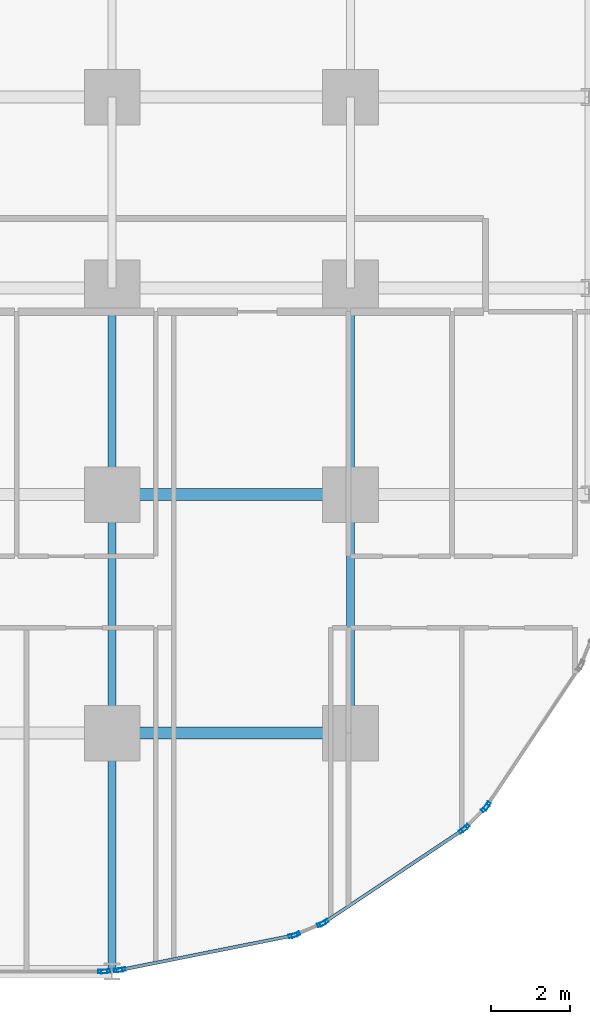
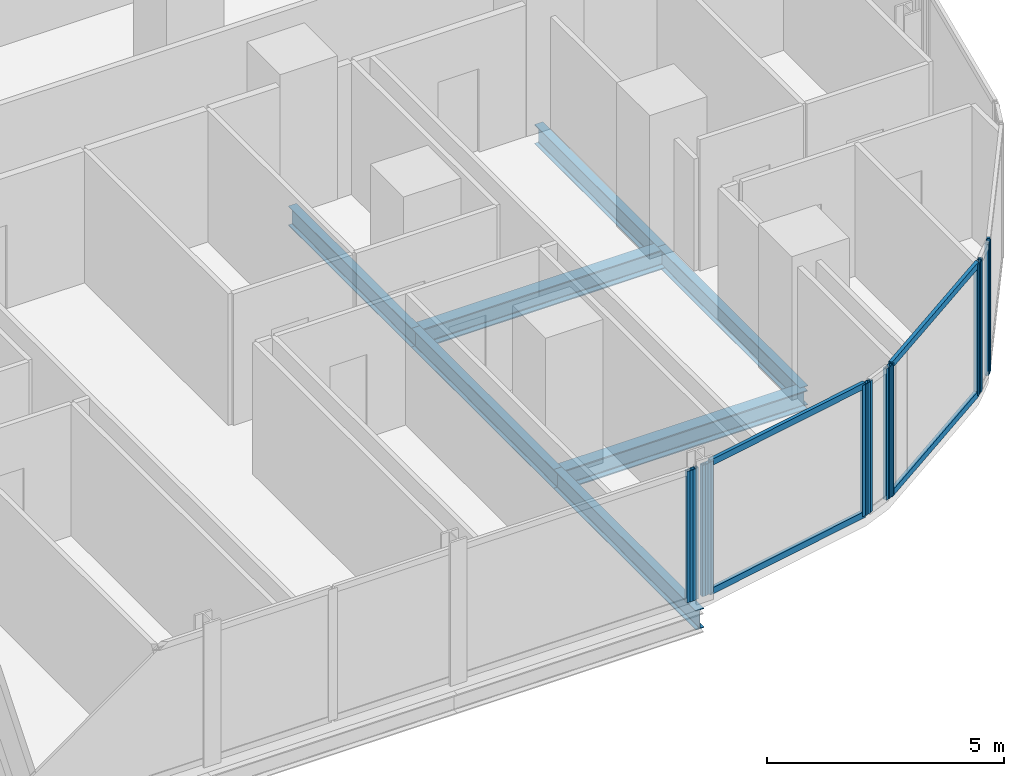
# One storey, part 9 of 33: 16 members, 7 beams, 7 elements without a shape of their own.
"""IFC4 building model written with IfcOpenShell, lengths in metres."""

from ifc_helpers import new_model, si_unit, direction, frame, origin, origin_2d, place, context, subcontext, project, spatial, hollow_rectangle, i_section, extrude, material, layer, layer_set, material_profile, profile_set, type_object, element, aggregate, save


model = new_model("IFC4")

# Units and contexts
model_context = context("Model", 3, precision=1e-05, world=origin(), true_north=direction((0.0, 1.0)))
body_context = subcontext(model_context, "Body", "Model", "MODEL_VIEW")
ifc_project = project(units=[si_unit("LENGTHUNIT", "METRE"), si_unit("AREAUNIT", "SQUARE_METRE"), si_unit("VOLUMEUNIT", "CUBIC_METRE"), si_unit("PLANEANGLEUNIT", "RADIAN"), si_unit("MASSUNIT", "GRAM", prefix="KILO")], contexts=[model_context])

# Site, building, storey
site_placement = place(None, origin())
site = spatial("IfcSite", under=ifc_project, at=site_placement, CompositionType="ELEMENT")
building_placement = place(site_placement, origin())
building = spatial("IfcBuilding", under=site, at=building_placement, Name="Keshet Zoharim Tower", CompositionType="ELEMENT")
storey_placement = place(building_placement, frame((0.0, 0.0, 42.5)))
storey = spatial("IfcBuildingStorey", under=building, at=storey_placement, Name="L09", CompositionType="ELEMENT", Elevation=42.5)

# Beams
ifc_material_1 = material(Name="Steel S355", Category="steel")
ifc_material_profile_1 = material_profile(ifc_material_1, i_section(OverallWidth=0.199951171875, OverallDepth=0.5, WebThickness=0.01025390625, FlangeThickness=0.01611328125, FilletRadius=0.02099609375, at=origin_2d()), Name="IPE500")
ifc_profile_set_1 = profile_set([ifc_material_profile_1], Name="Steel S355")
beam_type_1 = type_object("IfcBeamType", Name="BM-PRI-IP500", PredefinedType="BEAM", material=ifc_profile_set_1)
for number, where, z_axis, x_axis, name in (
    (1, (57.0, 0.699951171875, -0.56494140625), (0.0, 1.0, 0.0), (-1.0, 0.0, 0.0), "L09 Primary Girder Y-013"),
    (2, (57.0, 6.699951171875, -0.56494140625), (0.0, 1.0, 0.0), (-1.0, 0.0, 0.0), "L09 Primary Girder Y-014"),
):
    element("IfcBeam", number, at=place(storey_placement, frame(where, z_axis=z_axis, x_axis=x_axis)), inside=storey, type_object=beam_type_1, Name=name, PredefinedType="BEAM", context=body_context, shape_type="SweptSolid", body=[
        extrude(i_section(OverallWidth=0.199951171875, OverallDepth=0.5, WebThickness=0.01025390625, FlangeThickness=0.01611328125, FilletRadius=0.02099609375, at=origin_2d()), origin(), (0.0, 0.0, 1.0), 6.0),
    ])
beam_1_placement = place(storey_placement, frame((57.0, 12.699951171875, -0.56494140625), z_axis=(0.0, 1.0, 0.0), x_axis=(-1.0, 0.0, 0.0)))
element("IfcBeam", 3, at=beam_1_placement, inside=storey, type_object=beam_type_1, Name="L09 Primary Girder Y-015", PredefinedType="BEAM", context=body_context, shape_type="SweptSolid", body=[
    extrude(i_section(OverallWidth=0.199951171875, OverallDepth=0.5, WebThickness=0.01025390625, FlangeThickness=0.01611328125, FilletRadius=0.02099609375, at=origin_2d()), origin(), (0.0, 0.0, 1.0), 5.199951171875),
])
beam_2_placement = place(storey_placement, frame((63.0, 6.699951171875, -0.56494140625), z_axis=(0.0, 1.0, 0.0), x_axis=(-1.0, 0.0, 0.0)))
element("IfcBeam", 4, at=beam_2_placement, inside=storey, type_object=beam_type_1, Name="L09 Primary Girder Y-018", PredefinedType="BEAM", context=body_context, shape_type="SweptSolid", body=[
    extrude(i_section(OverallWidth=0.199951171875, OverallDepth=0.5, WebThickness=0.01025390625, FlangeThickness=0.01611328125, FilletRadius=0.02099609375, at=origin_2d()), origin(), (0.0, 0.0, 1.0), 6.0),
])
beam_3_placement = place(storey_placement, frame((63.0, 12.699951171875, -0.56494140625), z_axis=(0.0, 1.0, 0.0), x_axis=(-1.0, 0.0, 0.0)))
element("IfcBeam", 5, at=beam_3_placement, inside=storey, type_object=beam_type_1, Name="L09 Primary Girder Y-019", PredefinedType="BEAM", context=body_context, shape_type="SweptSolid", body=[
    extrude(i_section(OverallWidth=0.199951171875, OverallDepth=0.5, WebThickness=0.01025390625, FlangeThickness=0.01611328125, FilletRadius=0.02099609375, at=origin_2d()), origin(), (0.0, 0.0, 1.0), 5.199951171875),
])
ifc_material_profile_2 = material_profile(ifc_material_1, i_section(OverallWidth=0.300048828125, OverallDepth=0.5, WebThickness=0.014404296875, FlangeThickness=0.028076171875, FilletRadius=0.027099609375, at=origin_2d()), Name="HEB500")
ifc_profile_set_2 = profile_set([ifc_material_profile_2], Name="Steel S355")
beam_type_2 = type_object("IfcBeamType", Name="BM-WEB-HB500", PredefinedType="BEAM", material=ifc_profile_set_2)
for number, where, z_axis, x_axis, name in (
    (6, (57.0, 6.699951171875, -0.56494140625), (1.0, 0.0, 0.0), (0.0, 1.0, 0.0), "L09 Primary Girder X-010"),
    (7, (57.0, 12.699951171875, -0.56494140625), (1.0, 0.0, 0.0), (0.0, 1.0, 0.0), "L09 Primary Girder X-013"),
):
    element("IfcBeam", number, at=place(storey_placement, frame(where, z_axis=z_axis, x_axis=x_axis)), inside=storey, type_object=beam_type_2, Name=name, PredefinedType="BEAM", context=body_context, shape_type="SweptSolid", body=[
        extrude(i_section(OverallWidth=0.300048828125, OverallDepth=0.5, WebThickness=0.014404296875, FlangeThickness=0.028076171875, FilletRadius=0.027099609375, at=origin_2d()), origin(), (0.0, 0.0, 1.0), 6.0),
    ])

# Curtain wall, member
ifc_material_2 = material(Name="Aluminium 6063-T6", Category="aluminium")
ifc_layer = layer(ifc_material_2, 0.179931640625)
ifc_layer_set = layer_set([ifc_layer], Name="Aluminium 6063-T6")
curtain_wall_type = type_object("IfcCurtainWallType", Name="CW-SYS-01", PredefinedType="NOTDEFINED", material=ifc_layer_set)
curtain_wall_1_placement = place(storey_placement, origin())
curtain_wall_1 = element("IfcCurtainWall", 8, at=curtain_wall_1_placement, inside=storey, type_object=curtain_wall_type, Name="L09 Unitised Curtain Wall 20", PredefinedType="NOTDEFINED")
ifc_material_profile_3 = material_profile(ifc_material_2, hollow_rectangle(XDim=0.090087890625, YDim=0.219970703125, WallThickness=0.0048828125, at=origin_2d()), Name="MUL-90x220")
ifc_profile_set_3 = profile_set([ifc_material_profile_3], Name="Aluminium 6063-T6")
member_type_1 = type_object("IfcMemberType", Name="CWM-M22", PredefinedType="MULLION", material=ifc_profile_set_3)
member_1_placement = place(storey_placement, frame((66.432373046875, 4.8671875, 0.0), z_axis=(0.0, 0.0, 1.0), x_axis=(0.831474282335, -0.555563243758, 0.0)))
member_1 = element("IfcMember", 9, at=member_1_placement, type_object=member_type_1, Name="CW-01 mullion 2", PredefinedType="MULLION", context=body_context, shape_type="SweptSolid", body=[
    extrude(hollow_rectangle(XDim=0.090087890625, YDim=0.219970703125, WallThickness=0.0048828125, at=origin_2d()), origin(), (0.0, 0.0, 1.0), 3.385009765625),
])
aggregate(curtain_wall_1, [member_1])

# Curtain wall, members
curtain_wall_2_placement = place(storey_placement, origin())
curtain_wall_2 = element("IfcCurtainWall", 10, at=curtain_wall_2_placement, inside=storey, type_object=curtain_wall_type, Name="L09 Unitised Curtain Wall 21", PredefinedType="NOTDEFINED")
member_2_placement = place(storey_placement, frame((66.38818359375, 4.813232421875, 0.0), z_axis=(0.0, 0.0, 1.0), x_axis=(0.707106781187, -0.707106781187, 0.0)))
member_2 = element("IfcMember", 11, at=member_2_placement, type_object=member_type_1, Name="CW-01 mullion 1", PredefinedType="MULLION", context=body_context, shape_type="SweptSolid", body=[
    extrude(hollow_rectangle(XDim=0.090087890625, YDim=0.219970703125, WallThickness=0.0048828125, at=origin_2d()), origin(), (0.0, 0.0, 1.0), 3.385009765625),
])
member_3_placement = place(storey_placement, frame((65.88671875, 4.311767578125, 0.0), z_axis=(0.0, 0.0, 1.0), x_axis=(0.707106781187, -0.707106781187, 0.0)))
member_3 = element("IfcMember", 12, at=member_3_placement, type_object=member_type_1, Name="CW-01 mullion 2", PredefinedType="MULLION", context=body_context, shape_type="SweptSolid", body=[
    extrude(hollow_rectangle(XDim=0.090087890625, YDim=0.219970703125, WallThickness=0.0048828125, at=origin_2d()), origin(), (0.0, 0.0, 1.0), 3.385009765625),
])
aggregate(curtain_wall_2, [member_2, member_3])

curtain_wall_3_placement = place(storey_placement, origin())
curtain_wall_3 = element("IfcCurtainWall", 13, at=curtain_wall_3_placement, inside=storey, type_object=curtain_wall_type, Name="L09 Unitised Curtain Wall 22", PredefinedType="NOTDEFINED")
member_4_placement = place(storey_placement, frame((65.8330078125, 4.267578125, 0.0), z_axis=(0.0, 0.0, 1.0), x_axis=(0.555563243758, -0.831474282335, 0.0)))
member_4 = element("IfcMember", 14, at=member_4_placement, type_object=member_type_1, Name="CW-01 mullion 1", PredefinedType="MULLION", context=body_context, shape_type="SweptSolid", body=[
    extrude(hollow_rectangle(XDim=0.090087890625, YDim=0.219970703125, WallThickness=0.0048828125, at=origin_2d()), origin(), (0.0, 0.0, 1.0), 3.385009765625),
])
member_5_placement = place(storey_placement, frame((62.335205078125, 1.930419921875, 0.0), z_axis=(0.0, 0.0, 1.0), x_axis=(0.555563243758, -0.831474282335, 0.0)))
member_5 = element("IfcMember", 15, at=member_5_placement, type_object=member_type_1, Name="CW-01 mullion 2", PredefinedType="MULLION", context=body_context, shape_type="SweptSolid", body=[
    extrude(hollow_rectangle(XDim=0.090087890625, YDim=0.219970703125, WallThickness=0.0048828125, at=origin_2d()), origin(), (0.0, 0.0, 1.0), 3.385009765625),
])

curtain_wall_4_placement = place(storey_placement, origin())
curtain_wall_4 = element("IfcCurtainWall", 16, at=curtain_wall_4_placement, inside=storey, type_object=curtain_wall_type, Name="L09 Unitised Curtain Wall 23", PredefinedType="NOTDEFINED")
member_6_placement = place(storey_placement, frame((62.273681640625, 1.897705078125, 0.0), z_axis=(0.0, 0.0, 1.0), x_axis=(0.383068349739, -0.923720000557, 0.0)))
member_6 = element("IfcMember", 17, at=member_6_placement, type_object=member_type_1, Name="CW-01 mullion 1", PredefinedType="MULLION", context=body_context, shape_type="SweptSolid", body=[
    extrude(hollow_rectangle(XDim=0.090087890625, YDim=0.219970703125, WallThickness=0.0048828125, at=origin_2d()), origin(), (0.0, 0.0, 1.0), 3.385009765625),
])
member_7_placement = place(storey_placement, frame((61.617431640625, 1.62548828125, 0.0), z_axis=(0.0, 0.0, 1.0), x_axis=(0.383068349739, -0.923720000557, 0.0)))
member_7 = element("IfcMember", 18, at=member_7_placement, type_object=member_type_1, Name="CW-01 mullion 2", PredefinedType="MULLION", context=body_context, shape_type="SweptSolid", body=[
    extrude(hollow_rectangle(XDim=0.090087890625, YDim=0.219970703125, WallThickness=0.0048828125, at=origin_2d()), origin(), (0.0, 0.0, 1.0), 3.385009765625),
])
aggregate(curtain_wall_4, [member_6, member_7])

curtain_wall_5_placement = place(storey_placement, origin())
curtain_wall_5 = element("IfcCurtainWall", 19, at=curtain_wall_5_placement, inside=storey, type_object=curtain_wall_type, Name="L09 Unitised Curtain Wall 24", PredefinedType="NOTDEFINED")
member_8_placement = place(storey_placement, frame((61.55078125, 1.605224609375, 0.0), z_axis=(0.0, 0.0, 1.0), x_axis=(0.195171279072, -0.98076917357, 0.0)))
member_8 = element("IfcMember", 20, at=member_8_placement, type_object=member_type_1, Name="CW-01 mullion 1", PredefinedType="MULLION", context=body_context, shape_type="SweptSolid", body=[
    extrude(hollow_rectangle(XDim=0.090087890625, YDim=0.219970703125, WallThickness=0.0048828125, at=origin_2d()), origin(), (0.0, 0.0, 1.0), 3.385009765625),
])
member_9_placement = place(storey_placement, frame((57.227294921875, 0.744873046875, 0.0), z_axis=(0.0, 0.0, 1.0), x_axis=(0.195171279072, -0.98076917357, 0.0)))
member_9 = element("IfcMember", 21, at=member_9_placement, type_object=member_type_1, Name="CW-01 mullion 2", PredefinedType="MULLION", context=body_context, shape_type="SweptSolid", body=[
    extrude(hollow_rectangle(XDim=0.090087890625, YDim=0.219970703125, WallThickness=0.0048828125, at=origin_2d()), origin(), (0.0, 0.0, 1.0), 3.385009765625),
])

curtain_wall_6_placement = place(storey_placement, origin())
curtain_wall_6 = element("IfcCurtainWall", 22, at=curtain_wall_6_placement, inside=storey, type_object=curtain_wall_type, Name="L09 Unitised Curtain Wall 25", PredefinedType="NOTDEFINED")
member_10_placement = place(storey_placement, frame((57.158203125, 0.734619140625, 0.0), z_axis=(0.0, 0.0, 1.0), x_axis=(0.096976648633, -0.995286657009, 0.0)))
member_10 = element("IfcMember", 23, at=member_10_placement, type_object=member_type_1, Name="CW-01 mullion 1", PredefinedType="MULLION", context=body_context, shape_type="SweptSolid", body=[
    extrude(hollow_rectangle(XDim=0.090087890625, YDim=0.219970703125, WallThickness=0.0048828125, at=origin_2d()), origin(), (0.0, 0.0, 1.0), 3.385009765625),
])
member_11_placement = place(storey_placement, frame((56.837890625, 0.703369140625, 0.0), z_axis=(0.0, 0.0, 1.0), x_axis=(0.096976648633, -0.995286657009, 0.0)))
member_11 = element("IfcMember", 24, at=member_11_placement, type_object=member_type_1, Name="CW-01 mullion 2", PredefinedType="MULLION", context=body_context, shape_type="SweptSolid", body=[
    extrude(hollow_rectangle(XDim=0.090087890625, YDim=0.219970703125, WallThickness=0.0048828125, at=origin_2d()), origin(), (0.0, 0.0, 1.0), 3.385009765625),
])
aggregate(curtain_wall_6, [member_10, member_11])

# Curtain wall, member
curtain_wall_7_placement = place(storey_placement, origin())
curtain_wall_7 = element("IfcCurtainWall", 25, at=curtain_wall_7_placement, inside=storey, type_object=curtain_wall_type, Name="L09 Unitised Curtain Wall 26", PredefinedType="NOTDEFINED")
member_12_placement = place(storey_placement, frame((56.76806640625, 0.699951171875, 0.0), z_axis=(0.0, 0.0, 1.0), x_axis=(0.0, -1.0, 0.0)))
member_12 = element("IfcMember", 26, at=member_12_placement, type_object=member_type_1, Name="CW-01 mullion 1", PredefinedType="MULLION", context=body_context, shape_type="SweptSolid", body=[
    extrude(hollow_rectangle(XDim=0.090087890625, YDim=0.219970703125, WallThickness=0.0048828125, at=origin_2d()), origin(), (0.0, 0.0, 1.0), 3.385009765625),
])
aggregate(curtain_wall_7, [member_12])

# Member
ifc_material_profile_4 = material_profile(ifc_material_2, hollow_rectangle(XDim=0.0849609375, YDim=0.159912109375, WallThickness=0.00439453125, at=origin_2d()), Name="TRN-85x160")
ifc_profile_set_4 = profile_set([ifc_material_profile_4], Name="Aluminium 6063-T6")
member_type_2 = type_object("IfcMemberType", Name="CWT-T16", PredefinedType="USERDEFINED", material=ifc_profile_set_4)
member_13_placement = place(storey_placement, frame((65.8037109375, 4.248046875, 0.034912109375), z_axis=(-0.831477809106, -0.55555796544, 0.0), x_axis=(0.55555796544, -0.831477809106, 0.0)))
member_13 = element("IfcMember", 27, at=member_13_placement, type_object=member_type_2, Name="CW-01 transom 1.1", ObjectType="TRANSOM", PredefinedType="USERDEFINED", context=body_context, shape_type="SweptSolid", body=[
    extrude(hollow_rectangle(XDim=0.0849609375, YDim=0.159912109375, WallThickness=0.00439453125, at=origin_2d()), origin(), (0.0, 0.0, 1.0), 4.136474609375),
])

member_14_placement = place(storey_placement, frame((65.8037109375, 4.248046875, 3.35009765625), z_axis=(-0.831477809106, -0.55555796544, 0.0), x_axis=(0.55555796544, -0.831477809106, 0.0)))
member_14 = element("IfcMember", 28, at=member_14_placement, type_object=member_type_2, Name="CW-01 transom 1.2", ObjectType="TRANSOM", PredefinedType="USERDEFINED", context=body_context, shape_type="SweptSolid", body=[
    extrude(hollow_rectangle(XDim=0.0849609375, YDim=0.159912109375, WallThickness=0.00439453125, at=origin_2d()), origin(), (0.0, 0.0, 1.0), 4.136474609375),
])

aggregate(curtain_wall_3, [member_4, member_5, member_13, member_14])

member_15_placement = place(storey_placement, frame((61.516357421875, 1.598388671875, 0.034912109375), z_axis=(-0.980768540739, -0.195174459131, 0.0), x_axis=(0.195174459131, -0.980768540739, 0.0)))
member_15 = element("IfcMember", 29, at=member_15_placement, type_object=member_type_2, Name="CW-01 transom 1.1", ObjectType="TRANSOM", PredefinedType="USERDEFINED", context=body_context, shape_type="SweptSolid", body=[
    extrude(hollow_rectangle(XDim=0.0849609375, YDim=0.159912109375, WallThickness=0.00439453125, at=origin_2d()), origin(), (0.0, 0.0, 1.0), 4.338134765625),
])

member_16_placement = place(storey_placement, frame((61.516357421875, 1.598388671875, 3.35009765625), z_axis=(-0.980768540739, -0.195174459131, 0.0), x_axis=(0.195174459131, -0.980768540739, 0.0)))
member_16 = element("IfcMember", 30, at=member_16_placement, type_object=member_type_2, Name="CW-01 transom 1.2", ObjectType="TRANSOM", PredefinedType="USERDEFINED", context=body_context, shape_type="SweptSolid", body=[
    extrude(hollow_rectangle(XDim=0.0849609375, YDim=0.159912109375, WallThickness=0.00439453125, at=origin_2d()), origin(), (0.0, 0.0, 1.0), 4.338134765625),
])

aggregate(curtain_wall_5, [member_8, member_9, member_15, member_16])

save(model, "model.ifc")
